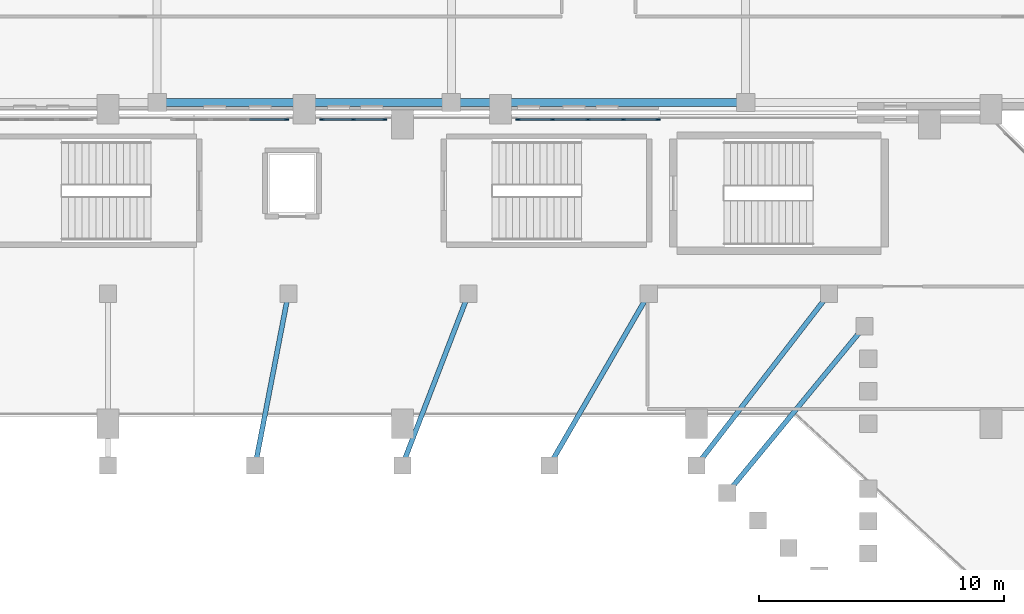
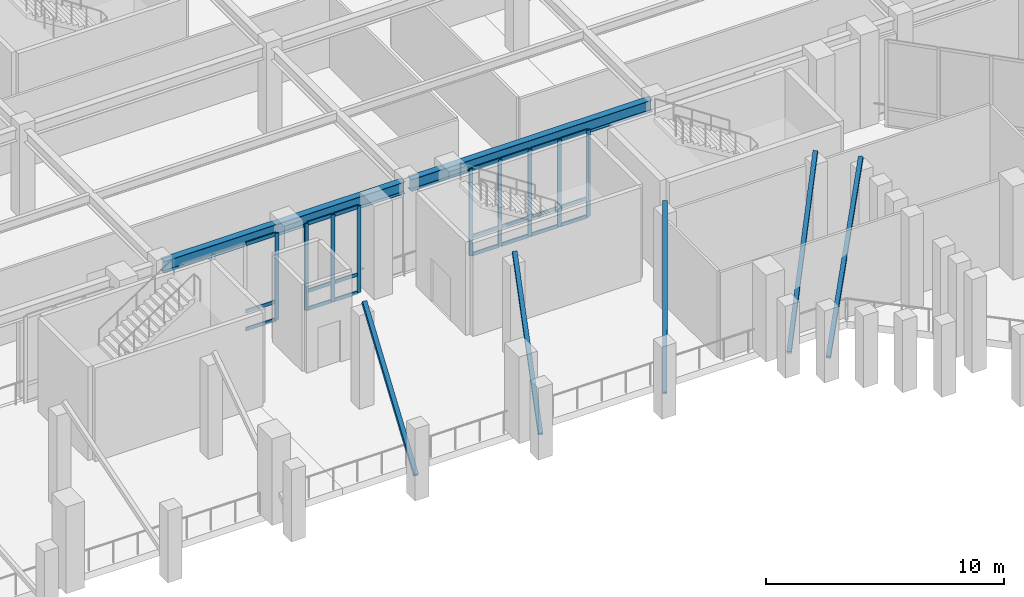
# One storey, part 36 of 126: 35 members, 2 beams, 3 elements without a shape of their own.
"""IFC4 building model written with IfcOpenShell, lengths in metres."""

from ifc_helpers import new_model, si_unit, derived_unit, direction, frame, origin, origin_2d, place, context, subcontext, project, spatial, rectangle, hollow_rectangle, i_section, extrude, material, layer, layer_set, material_profile, profile_set, type_object, element, aggregate, save


model = new_model("IFC4")

# Units and contexts
model_context = context("Model", 3, precision=1e-05, world=origin(), true_north=direction((0.0, 1.0)))
body_context = subcontext(model_context, "Body", "Model", "MODEL_VIEW")
ifc_project = project(units=[si_unit("LENGTHUNIT", "METRE"), si_unit("AREAUNIT", "SQUARE_METRE"), si_unit("VOLUMEUNIT", "CUBIC_METRE"), si_unit("PLANEANGLEUNIT", "RADIAN"), si_unit("MASSUNIT", "GRAM", prefix="KILO"), derived_unit("THERMALTRANSMITTANCEUNIT", [(si_unit("MASSUNIT", "GRAM", prefix="KILO"), 1), (si_unit("TIMEUNIT", "SECOND"), -3), (si_unit("THERMODYNAMICTEMPERATUREUNIT", "KELVIN"), -1)])], contexts=[model_context])

# Site, building, storey
site_placement = place(None, origin())
site = spatial("IfcSite", under=ifc_project, at=site_placement, CompositionType="ELEMENT")
building_placement = place(site_placement, origin())
building = spatial("IfcBuilding", under=site, at=building_placement, Name="Valcora Ridge Arena", CompositionType="ELEMENT")
storey_placement = place(building_placement, frame((0.0, 0.0, 11.39990234375)))
storey = spatial("IfcBuildingStorey", under=building, at=storey_placement, Name="L02", CompositionType="ELEMENT", Elevation=11.39990234375)

# Beams
ifc_material_1 = material(Name="Steel ASTM A572 Grade 50", Category="steel")
ifc_material_profile_1 = material_profile(ifc_material_1, i_section(OverallWidth=0.324951171875, OverallDepth=0.612060546875, WebThickness=0.0126953125, FlangeThickness=0.01904296875, FilletRadius=0.01806640625, at=origin_2d()), Name="W24X104")
ifc_profile_set_1 = profile_set([ifc_material_profile_1], Name="Steel ASTM A572 Grade 50")
beam_type = type_object("IfcBeamType", Name="TY-BEAM-G-W24X104-X", PredefinedType="BEAM", material=ifc_profile_set_1)
for number, where, z_axis, x_axis, name in (
    (1, (60.139892578125, 108.699951171875, 4.14404296875), (1.0, 0.0, 0.0), (0.0, 1.0, 0.0), "G-W24X104-X BEM-G-W24X104-X-0069"),
    (2, (72.139892578125, 108.699951171875, 4.14404296875), (1.0, 0.0, 0.0), (0.0, 1.0, 0.0), "G-W24X104-X BEM-G-W24X104-X-0070"),
):
    element("IfcBeam", number, at=place(storey_placement, frame(where, z_axis=z_axis, x_axis=x_axis)), inside=storey, type_object=beam_type, Name=name, PredefinedType="BEAM", context=body_context, shape_type="SweptSolid", body=[
        extrude(i_section(OverallWidth=0.324951171875, OverallDepth=0.612060546875, WebThickness=0.0126953125, FlangeThickness=0.01904296875, FilletRadius=0.01806640625, at=origin_2d()), origin(), (0.0, 0.0, 1.0), 11.72021484375),
    ])

# Curtain wall, member
ifc_material_2 = material(Name="Anodised dark bronze architectural aluminium 6063-T6", Category="aluminium")
ifc_layer_1 = layer(ifc_material_2, 0.179931640625, Name="Anodised dark bronze architectural aluminium 6063-T6")
ifc_layer_set_1 = layer_set([ifc_layer_1], Name="Anodised dark bronze architectural aluminium 6063-T6")
curtain_wall_type_1 = type_object("IfcCurtainWallType", Name="TY-CURTAINWALL-CW-V1-GOTH-047X44", PredefinedType="NOTDEFINED", material=ifc_layer_set_1)
curtain_wall_1_placement = place(storey_placement, origin())
curtain_wall_1 = element("IfcCurtainWall", 3, at=curtain_wall_1_placement, inside=storey, type_object=curtain_wall_type_1, Name="CW-V1-GOTH-047X44 CW-0125", PredefinedType="NOTDEFINED")
ifc_material_profile_2 = material_profile(ifc_material_2, rectangle(XDim=0.06005859375, YDim=0.179931640625, at=origin_2d()), Name="ALU MULLION 60x180")
ifc_profile_set_2 = profile_set([ifc_material_profile_2], Name="Anodised dark bronze architectural aluminium 6063-T6")
member_type_1 = type_object("IfcMemberType", Name="TY-MEM-CWM-60x180", PredefinedType="MULLION", material=ifc_profile_set_2)
member_1_placement = place(storey_placement, frame((65.280029296875, 108.0, 0.0), z_axis=(0.0, 0.0, 1.0), x_axis=(0.0, 1.0, 0.0)))
member_1 = element("IfcMember", 4, at=member_1_placement, type_object=member_type_1, Name="CW-0125/CWM-60x180/M03", PredefinedType="MULLION", context=body_context, shape_type="SweptSolid", body=[
    extrude(rectangle(XDim=0.06005859375, YDim=0.179931640625, at=origin_2d()), origin(), (0.0, 0.0, 1.0), 4.4501953125),
])

# Curtain wall, members
ifc_layer_2 = layer(ifc_material_2, 0.179931640625, Name="Anodised dark bronze architectural aluminium 6063-T6")
ifc_layer_set_2 = layer_set([ifc_layer_2], Name="Anodised dark bronze architectural aluminium 6063-T6")
curtain_wall_type_2 = type_object("IfcCurtainWallType", Name="TY-CURTAINWALL-CW-V1-GOTH-026X44", PredefinedType="NOTDEFINED", material=ifc_layer_set_2)
curtain_wall_2_placement = place(storey_placement, origin())
curtain_wall_2 = element("IfcCurtainWall", 5, at=curtain_wall_2_placement, inside=storey, type_object=curtain_wall_type_2, Name="CW-V1-GOTH-026X44 CW-0126", PredefinedType="NOTDEFINED")
member_2_placement = place(storey_placement, frame((66.719970703125, 108.0, 0.0), z_axis=(0.0, 0.0, 1.0), x_axis=(0.0, 1.0, 0.0)))
member_2 = element("IfcMember", 6, at=member_2_placement, type_object=member_type_1, Name="CW-0126/CWM-60x180/M00", PredefinedType="MULLION", context=body_context, shape_type="SweptSolid", body=[
    extrude(rectangle(XDim=0.06005859375, YDim=0.179931640625, at=origin_2d()), origin(), (0.0, 0.0, 1.0), 4.4501953125),
])
member_3_placement = place(storey_placement, frame((68.0, 108.0, 0.0), z_axis=(0.0, 0.0, 1.0), x_axis=(0.0, 1.0, 0.0)))
member_3 = element("IfcMember", 7, at=member_3_placement, type_object=member_type_1, Name="CW-0126/CWM-60x180/M01", PredefinedType="MULLION", context=body_context, shape_type="SweptSolid", body=[
    extrude(rectangle(XDim=0.06005859375, YDim=0.179931640625, at=origin_2d()), origin(), (0.0, 0.0, 1.0), 4.4501953125),
])
member_4_placement = place(storey_placement, frame((69.280029296875, 108.0, 0.0), z_axis=(0.0, 0.0, 1.0), x_axis=(0.0, 1.0, 0.0)))
member_4 = element("IfcMember", 8, at=member_4_placement, type_object=member_type_1, Name="CW-0126/CWM-60x180/M02", PredefinedType="MULLION", context=body_context, shape_type="SweptSolid", body=[
    extrude(rectangle(XDim=0.06005859375, YDim=0.179931640625, at=origin_2d()), origin(), (0.0, 0.0, 1.0), 4.4501953125),
])

ifc_layer_3 = layer(ifc_material_2, 0.179931640625, Name="Anodised dark bronze architectural aluminium 6063-T6")
ifc_layer_set_3 = layer_set([ifc_layer_3], Name="Anodised dark bronze architectural aluminium 6063-T6")
curtain_wall_type_3 = type_object("IfcCurtainWallType", Name="TY-CURTAINWALL-CW-V1-GOTH-058X44", PredefinedType="NOTDEFINED", material=ifc_layer_set_3)
curtain_wall_3_placement = place(storey_placement, origin())
curtain_wall_3 = element("IfcCurtainWall", 9, at=curtain_wall_3_placement, inside=storey, type_object=curtain_wall_type_3, Name="CW-V1-GOTH-058X44 CW-0127", PredefinedType="NOTDEFINED")
member_5_placement = place(storey_placement, frame((74.719970703125, 108.0, 0.0), z_axis=(0.0, 0.0, 1.0), x_axis=(0.0, 1.0, 0.0)))
member_5 = element("IfcMember", 10, at=member_5_placement, type_object=member_type_1, Name="CW-0127/CWM-60x180/M00", PredefinedType="MULLION", context=body_context, shape_type="SweptSolid", body=[
    extrude(rectangle(XDim=0.06005859375, YDim=0.179931640625, at=origin_2d()), origin(), (0.0, 0.0, 1.0), 4.4501953125),
])
member_6_placement = place(storey_placement, frame((76.1298828125, 108.0, 0.0), z_axis=(0.0, 0.0, 1.0), x_axis=(0.0, 1.0, 0.0)))
member_6 = element("IfcMember", 11, at=member_6_placement, type_object=member_type_1, Name="CW-0127/CWM-60x180/M01", PredefinedType="MULLION", context=body_context, shape_type="SweptSolid", body=[
    extrude(rectangle(XDim=0.06005859375, YDim=0.179931640625, at=origin_2d()), origin(), (0.0, 0.0, 1.0), 4.4501953125),
])
member_7_placement = place(storey_placement, frame((77.570068359375, 108.0, 0.0), z_axis=(0.0, 0.0, 1.0), x_axis=(0.0, 1.0, 0.0)))
member_7 = element("IfcMember", 12, at=member_7_placement, type_object=member_type_1, Name="CW-0127/CWM-60x180/M02", PredefinedType="MULLION", context=body_context, shape_type="SweptSolid", body=[
    extrude(rectangle(XDim=0.06005859375, YDim=0.179931640625, at=origin_2d()), origin(), (0.0, 0.0, 1.0), 4.4501953125),
])
member_8_placement = place(storey_placement, frame((79.010009765625, 108.0, 0.0), z_axis=(0.0, 0.0, 1.0), x_axis=(0.0, 1.0, 0.0)))
member_8 = element("IfcMember", 13, at=member_8_placement, type_object=member_type_1, Name="CW-0127/CWM-60x180/M03", PredefinedType="MULLION", context=body_context, shape_type="SweptSolid", body=[
    extrude(rectangle(XDim=0.06005859375, YDim=0.179931640625, at=origin_2d()), origin(), (0.0, 0.0, 1.0), 4.4501953125),
])
member_9_placement = place(storey_placement, frame((80.419921875, 108.0, 0.0), z_axis=(0.0, 0.0, 1.0), x_axis=(0.0, 1.0, 0.0)))
member_9 = element("IfcMember", 14, at=member_9_placement, type_object=member_type_1, Name="CW-0127/CWM-60x180/M04", PredefinedType="MULLION", context=body_context, shape_type="SweptSolid", body=[
    extrude(rectangle(XDim=0.06005859375, YDim=0.179931640625, at=origin_2d()), origin(), (0.0, 0.0, 1.0), 4.4501953125),
])

# Member
ifc_material_profile_3 = material_profile(ifc_material_2, rectangle(XDim=0.06005859375, YDim=0.179931640625, at=origin_2d()), Name="ALU TRANSOM 60x180")
ifc_profile_set_3 = profile_set([ifc_material_profile_3], Name="Anodised dark bronze architectural aluminium 6063-T6")
member_type_2 = type_object("IfcMemberType", Name="TY-MEM-CWT-60x180", PredefinedType="USERDEFINED", material=ifc_profile_set_3)
member_10_placement = place(storey_placement, frame((63.77490234375, 108.0, 0.030029296875), z_axis=(1.0, 0.0, 0.0), x_axis=(0.0, 1.0, 0.0)))
member_10 = element("IfcMember", 15, at=member_10_placement, type_object=member_type_2, Name="CW-0125/CWT-60x180/T02-00", ObjectType="TRANSOM", PredefinedType="USERDEFINED", context=body_context, shape_type="SweptSolid", body=[
    extrude(rectangle(XDim=0.06005859375, YDim=0.179931640625, at=origin_2d()), origin(), (0.0, 0.0, 1.0), 1.47509765625),
])

member_11_placement = place(storey_placement, frame((63.77490234375, 108.0, 0.9501953125), z_axis=(1.0, 0.0, 0.0), x_axis=(0.0, 1.0, 0.0)))
member_11 = element("IfcMember", 16, at=member_11_placement, type_object=member_type_2, Name="CW-0125/CWT-60x180/T02-01", ObjectType="TRANSOM", PredefinedType="USERDEFINED", context=body_context, shape_type="SweptSolid", body=[
    extrude(rectangle(XDim=0.06005859375, YDim=0.179931640625, at=origin_2d()), origin(), (0.0, 0.0, 1.0), 1.47509765625),
])

member_12_placement = place(storey_placement, frame((63.77490234375, 108.0, 4.420166015625), z_axis=(1.0, 0.0, 0.0), x_axis=(0.0, 1.0, 0.0)))
member_12 = element("IfcMember", 17, at=member_12_placement, type_object=member_type_2, Name="CW-0125/CWT-60x180/T02-02", ObjectType="TRANSOM", PredefinedType="USERDEFINED", context=body_context, shape_type="SweptSolid", body=[
    extrude(rectangle(XDim=0.06005859375, YDim=0.179931640625, at=origin_2d()), origin(), (0.0, 0.0, 1.0), 1.47509765625),
])

aggregate(curtain_wall_1, [member_1, member_10, member_11, member_12])

member_13_placement = place(storey_placement, frame((66.75, 108.0, 0.030029296875), z_axis=(1.0, 0.0, 0.0), x_axis=(0.0, 1.0, 0.0)))
member_13 = element("IfcMember", 18, at=member_13_placement, type_object=member_type_2, Name="CW-0126/CWT-60x180/T00-00", ObjectType="TRANSOM", PredefinedType="USERDEFINED", context=body_context, shape_type="SweptSolid", body=[
    extrude(rectangle(XDim=0.06005859375, YDim=0.179931640625, at=origin_2d()), origin(), (0.0, 0.0, 1.0), 1.219970703125),
])

member_14_placement = place(storey_placement, frame((66.75, 108.0, 0.9501953125), z_axis=(1.0, 0.0, 0.0), x_axis=(0.0, 1.0, 0.0)))
member_14 = element("IfcMember", 19, at=member_14_placement, type_object=member_type_2, Name="CW-0126/CWT-60x180/T00-01", ObjectType="TRANSOM", PredefinedType="USERDEFINED", context=body_context, shape_type="SweptSolid", body=[
    extrude(rectangle(XDim=0.06005859375, YDim=0.179931640625, at=origin_2d()), origin(), (0.0, 0.0, 1.0), 1.219970703125),
])

member_15_placement = place(storey_placement, frame((66.75, 108.0, 4.420166015625), z_axis=(1.0, 0.0, 0.0), x_axis=(0.0, 1.0, 0.0)))
member_15 = element("IfcMember", 20, at=member_15_placement, type_object=member_type_2, Name="CW-0126/CWT-60x180/T00-02", ObjectType="TRANSOM", PredefinedType="USERDEFINED", context=body_context, shape_type="SweptSolid", body=[
    extrude(rectangle(XDim=0.06005859375, YDim=0.179931640625, at=origin_2d()), origin(), (0.0, 0.0, 1.0), 1.219970703125),
])

member_16_placement = place(storey_placement, frame((68.030029296875, 108.0, 0.030029296875), z_axis=(1.0, 0.0, 0.0), x_axis=(0.0, 1.0, 0.0)))
member_16 = element("IfcMember", 21, at=member_16_placement, type_object=member_type_2, Name="CW-0126/CWT-60x180/T01-00", ObjectType="TRANSOM", PredefinedType="USERDEFINED", context=body_context, shape_type="SweptSolid", body=[
    extrude(rectangle(XDim=0.06005859375, YDim=0.179931640625, at=origin_2d()), origin(), (0.0, 0.0, 1.0), 1.219970703125),
])

member_17_placement = place(storey_placement, frame((68.030029296875, 108.0, 0.9501953125), z_axis=(1.0, 0.0, 0.0), x_axis=(0.0, 1.0, 0.0)))
member_17 = element("IfcMember", 22, at=member_17_placement, type_object=member_type_2, Name="CW-0126/CWT-60x180/T01-01", ObjectType="TRANSOM", PredefinedType="USERDEFINED", context=body_context, shape_type="SweptSolid", body=[
    extrude(rectangle(XDim=0.06005859375, YDim=0.179931640625, at=origin_2d()), origin(), (0.0, 0.0, 1.0), 1.219970703125),
])

member_18_placement = place(storey_placement, frame((68.030029296875, 108.0, 4.420166015625), z_axis=(1.0, 0.0, 0.0), x_axis=(0.0, 1.0, 0.0)))
member_18 = element("IfcMember", 23, at=member_18_placement, type_object=member_type_2, Name="CW-0126/CWT-60x180/T01-02", ObjectType="TRANSOM", PredefinedType="USERDEFINED", context=body_context, shape_type="SweptSolid", body=[
    extrude(rectangle(XDim=0.06005859375, YDim=0.179931640625, at=origin_2d()), origin(), (0.0, 0.0, 1.0), 1.219970703125),
])

aggregate(curtain_wall_2, [member_2, member_3, member_4, member_13, member_14, member_15, member_16, member_17, member_18])

member_19_placement = place(storey_placement, frame((74.75, 108.0, 0.030029296875), z_axis=(1.0, 0.0, 0.0), x_axis=(0.0, 1.0, 0.0)))
member_19 = element("IfcMember", 24, at=member_19_placement, type_object=member_type_2, Name="CW-0127/CWT-60x180/T00-00", ObjectType="TRANSOM", PredefinedType="USERDEFINED", context=body_context, shape_type="SweptSolid", body=[
    extrude(rectangle(XDim=0.06005859375, YDim=0.179931640625, at=origin_2d()), origin(), (0.0, 0.0, 1.0), 1.35009765625),
])

member_20_placement = place(storey_placement, frame((74.75, 108.0, 0.9501953125), z_axis=(1.0, 0.0, 0.0), x_axis=(0.0, 1.0, 0.0)))
member_20 = element("IfcMember", 25, at=member_20_placement, type_object=member_type_2, Name="CW-0127/CWT-60x180/T00-01", ObjectType="TRANSOM", PredefinedType="USERDEFINED", context=body_context, shape_type="SweptSolid", body=[
    extrude(rectangle(XDim=0.06005859375, YDim=0.179931640625, at=origin_2d()), origin(), (0.0, 0.0, 1.0), 1.35009765625),
])

member_21_placement = place(storey_placement, frame((74.75, 108.0, 4.420166015625), z_axis=(1.0, 0.0, 0.0), x_axis=(0.0, 1.0, 0.0)))
member_21 = element("IfcMember", 26, at=member_21_placement, type_object=member_type_2, Name="CW-0127/CWT-60x180/T00-02", ObjectType="TRANSOM", PredefinedType="USERDEFINED", context=body_context, shape_type="SweptSolid", body=[
    extrude(rectangle(XDim=0.06005859375, YDim=0.179931640625, at=origin_2d()), origin(), (0.0, 0.0, 1.0), 1.35009765625),
])

member_22_placement = place(storey_placement, frame((76.159912109375, 108.0, 0.030029296875), z_axis=(1.0, 0.0, 0.0), x_axis=(0.0, 1.0, 0.0)))
member_22 = element("IfcMember", 27, at=member_22_placement, type_object=member_type_2, Name="CW-0127/CWT-60x180/T01-00", ObjectType="TRANSOM", PredefinedType="USERDEFINED", context=body_context, shape_type="SweptSolid", body=[
    extrude(rectangle(XDim=0.06005859375, YDim=0.179931640625, at=origin_2d()), origin(), (0.0, 0.0, 1.0), 1.380126953125),
])

member_23_placement = place(storey_placement, frame((76.159912109375, 108.0, 0.9501953125), z_axis=(1.0, 0.0, 0.0), x_axis=(0.0, 1.0, 0.0)))
member_23 = element("IfcMember", 28, at=member_23_placement, type_object=member_type_2, Name="CW-0127/CWT-60x180/T01-01", ObjectType="TRANSOM", PredefinedType="USERDEFINED", context=body_context, shape_type="SweptSolid", body=[
    extrude(rectangle(XDim=0.06005859375, YDim=0.179931640625, at=origin_2d()), origin(), (0.0, 0.0, 1.0), 1.380126953125),
])

member_24_placement = place(storey_placement, frame((76.159912109375, 108.0, 4.420166015625), z_axis=(1.0, 0.0, 0.0), x_axis=(0.0, 1.0, 0.0)))
member_24 = element("IfcMember", 29, at=member_24_placement, type_object=member_type_2, Name="CW-0127/CWT-60x180/T01-02", ObjectType="TRANSOM", PredefinedType="USERDEFINED", context=body_context, shape_type="SweptSolid", body=[
    extrude(rectangle(XDim=0.06005859375, YDim=0.179931640625, at=origin_2d()), origin(), (0.0, 0.0, 1.0), 1.380126953125),
])

member_25_placement = place(storey_placement, frame((77.60009765625, 108.0, 0.030029296875), z_axis=(1.0, 0.0, 0.0), x_axis=(0.0, 1.0, 0.0)))
member_25 = element("IfcMember", 30, at=member_25_placement, type_object=member_type_2, Name="CW-0127/CWT-60x180/T02-00", ObjectType="TRANSOM", PredefinedType="USERDEFINED", context=body_context, shape_type="SweptSolid", body=[
    extrude(rectangle(XDim=0.06005859375, YDim=0.179931640625, at=origin_2d()), origin(), (0.0, 0.0, 1.0), 1.3798828125),
])

member_26_placement = place(storey_placement, frame((77.60009765625, 108.0, 0.9501953125), z_axis=(1.0, 0.0, 0.0), x_axis=(0.0, 1.0, 0.0)))
member_26 = element("IfcMember", 31, at=member_26_placement, type_object=member_type_2, Name="CW-0127/CWT-60x180/T02-01", ObjectType="TRANSOM", PredefinedType="USERDEFINED", context=body_context, shape_type="SweptSolid", body=[
    extrude(rectangle(XDim=0.06005859375, YDim=0.179931640625, at=origin_2d()), origin(), (0.0, 0.0, 1.0), 1.3798828125),
])

member_27_placement = place(storey_placement, frame((77.60009765625, 108.0, 4.420166015625), z_axis=(1.0, 0.0, 0.0), x_axis=(0.0, 1.0, 0.0)))
member_27 = element("IfcMember", 32, at=member_27_placement, type_object=member_type_2, Name="CW-0127/CWT-60x180/T02-02", ObjectType="TRANSOM", PredefinedType="USERDEFINED", context=body_context, shape_type="SweptSolid", body=[
    extrude(rectangle(XDim=0.06005859375, YDim=0.179931640625, at=origin_2d()), origin(), (0.0, 0.0, 1.0), 1.3798828125),
])

member_28_placement = place(storey_placement, frame((79.0400390625, 108.0, 0.030029296875), z_axis=(1.0, 0.0, 0.0), x_axis=(0.0, 1.0, 0.0)))
member_28 = element("IfcMember", 33, at=member_28_placement, type_object=member_type_2, Name="CW-0127/CWT-60x180/T03-00", ObjectType="TRANSOM", PredefinedType="USERDEFINED", context=body_context, shape_type="SweptSolid", body=[
    extrude(rectangle(XDim=0.06005859375, YDim=0.179931640625, at=origin_2d()), origin(), (0.0, 0.0, 1.0), 1.349853515625),
])

member_29_placement = place(storey_placement, frame((79.0400390625, 108.0, 0.9501953125), z_axis=(1.0, 0.0, 0.0), x_axis=(0.0, 1.0, 0.0)))
member_29 = element("IfcMember", 34, at=member_29_placement, type_object=member_type_2, Name="CW-0127/CWT-60x180/T03-01", ObjectType="TRANSOM", PredefinedType="USERDEFINED", context=body_context, shape_type="SweptSolid", body=[
    extrude(rectangle(XDim=0.06005859375, YDim=0.179931640625, at=origin_2d()), origin(), (0.0, 0.0, 1.0), 1.349853515625),
])

member_30_placement = place(storey_placement, frame((79.0400390625, 108.0, 4.420166015625), z_axis=(1.0, 0.0, 0.0), x_axis=(0.0, 1.0, 0.0)))
member_30 = element("IfcMember", 35, at=member_30_placement, type_object=member_type_2, Name="CW-0127/CWT-60x180/T03-02", ObjectType="TRANSOM", PredefinedType="USERDEFINED", context=body_context, shape_type="SweptSolid", body=[
    extrude(rectangle(XDim=0.06005859375, YDim=0.179931640625, at=origin_2d()), origin(), (0.0, 0.0, 1.0), 1.349853515625),
])

aggregate(curtain_wall_3, [member_5, member_6, member_7, member_8, member_9, member_19, member_20, member_21, member_22, member_23, member_24, member_25, member_26, member_27, member_28, member_29, member_30])

# Members
ifc_material_3 = material(Name="Steel ASTM A500 Grade C", Category="steel")
ifc_material_profile_4 = material_profile(ifc_material_3, hollow_rectangle(XDim=0.199951171875, YDim=0.199951171875, WallThickness=0.012451171875, at=origin_2d()), Name="HSS200X200X12")
ifc_profile_set_4 = profile_set([ifc_material_profile_4], Name="Steel ASTM A500 Grade C")
member_type_3 = type_object("IfcMemberType", Name="TY-MEMBER-RKRUD-200", PredefinedType="BRACE", material=ifc_profile_set_4)
member_31_placement = place(storey_placement, frame((83.40625, 92.96484375, 0.833984375), z_axis=(0.558208565242, 0.677830209573, 0.478486577326), x_axis=(-0.771932777545, 0.635704166222, 0.0)))
element("IfcMember", 36, at=member_31_placement, inside=storey, type_object=member_type_3, Name="RKRUD-200 Raker Diagonal Brace", PredefinedType="BRACE", context=body_context, shape_type="SweptSolid", body=[
    extrude(hollow_rectangle(XDim=0.199951171875, YDim=0.199951171875, WallThickness=0.012451171875, at=origin_2d()), origin(), (0.0, 0.0, 1.0), 9.471923828125),
])
member_32_placement = place(storey_placement, frame((82.150390625, 94.0947265625, 0.833740234375), z_axis=(0.536787845456, 0.695842758825, 0.477139040491), x_axis=(-0.79178508408, 0.610799787679, 0.0)))
element("IfcMember", 37, at=member_32_placement, inside=storey, type_object=member_type_3, Name="RKRUD-200 Raker Diagonal Brace", PredefinedType="BRACE", context=body_context, shape_type="SweptSolid", body=[
    extrude(hollow_rectangle(XDim=0.199951171875, YDim=0.199951171875, WallThickness=0.012451171875, at=origin_2d()), origin(), (0.0, 0.0, 1.0), 9.499755859375),
])
member_33_placement = place(storey_placement, frame((76.12060546875, 94.1083984375, 0.843017578125), z_axis=(0.430647784433, 0.744338023667, 0.510395329413), x_axis=(-0.865569833072, 0.50078824275, 0.0)))
element("IfcMember", 38, at=member_33_placement, inside=storey, type_object=member_type_3, Name="RKRUD-200 Raker Diagonal Brace", PredefinedType="BRACE", context=body_context, shape_type="SweptSolid", body=[
    extrude(hollow_rectangle(XDim=0.199951171875, YDim=0.199951171875, WallThickness=0.012451171875, at=origin_2d()), origin(), (0.0, 0.0, 1.0), 8.844482421875),
])
member_34_placement = place(storey_placement, frame((70.0849609375, 94.1201171875, 0.85107421875), z_axis=(0.303123322723, 0.785932698856, 0.538911907541), x_axis=(-0.933010485699, 0.359849181708, 0.0)))
element("IfcMember", 39, at=member_34_placement, inside=storey, type_object=member_type_3, Name="RKRUD-200 Raker Diagonal Brace", PredefinedType="BRACE", context=body_context, shape_type="SweptSolid", body=[
    extrude(hollow_rectangle(XDim=0.199951171875, YDim=0.199951171875, WallThickness=0.012451171875, at=origin_2d()), origin(), (0.0, 0.0, 1.0), 8.346435546875),
])
member_35_placement = place(storey_placement, frame((64.0439453125, 94.128173828125, 0.8564453125), z_axis=(0.157073737809, 0.814480053106, 0.55852491796), x_axis=(-0.981907279334, 0.189362337308, 0.0)))
element("IfcMember", 40, at=member_35_placement, inside=storey, type_object=member_type_3, Name="RKRUD-200 Raker Diagonal Brace", PredefinedType="BRACE", context=body_context, shape_type="SweptSolid", body=[
    extrude(hollow_rectangle(XDim=0.199951171875, YDim=0.199951171875, WallThickness=0.012451171875, at=origin_2d()), origin(), (0.0, 0.0, 1.0), 8.0341796875),
])

save(model, "model.ifc")
